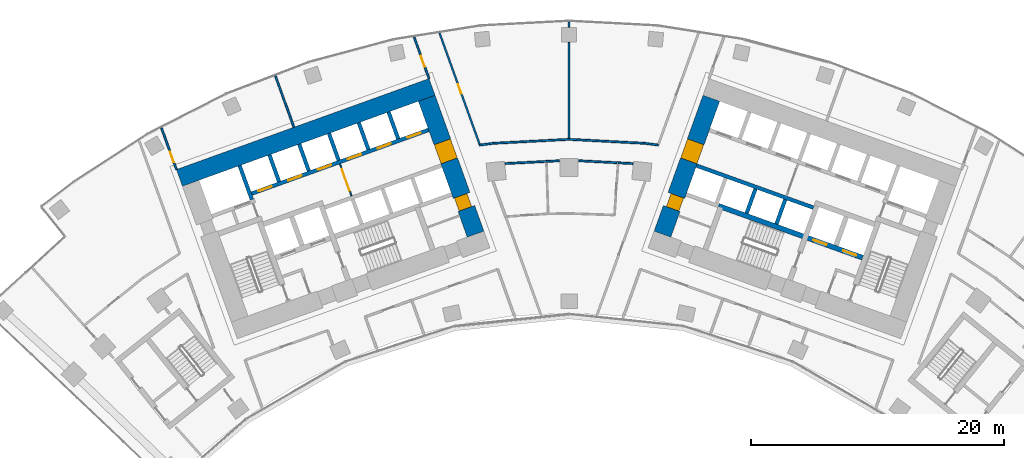
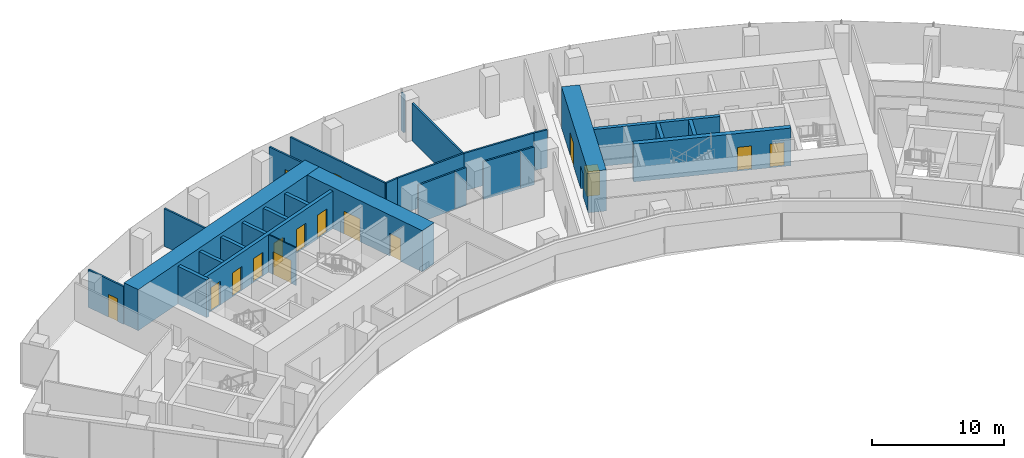
# One storey, part 14 of 19: 29 walls, 16 doors, 16 openings.
"""IFC4 building model written with IfcOpenShell, lengths in metres."""

from ifc_helpers import new_model, si_unit, direction, frame, frame_2d, origin, place, context, subcontext, project, spatial, rectangle, extrude, material, layer, layer_set, type_object, element, fill, save


model = new_model("IFC4")

# Units and contexts
model_context = context("Model", 3, precision=1e-05, world=origin(), true_north=direction((0.0, 1.0)))
body_context = subcontext(model_context, "Body", "Model", "MODEL_VIEW")
ifc_project = project(units=[si_unit("LENGTHUNIT", "METRE"), si_unit("AREAUNIT", "SQUARE_METRE"), si_unit("VOLUMEUNIT", "CUBIC_METRE"), si_unit("PLANEANGLEUNIT", "RADIAN"), si_unit("MASSUNIT", "GRAM", prefix="KILO")], contexts=[model_context])

# Site, building, storey
site_placement = place(None, origin())
site = spatial("IfcSite", under=ifc_project, at=site_placement, CompositionType="ELEMENT")
building_placement = place(site_placement, origin())
building = spatial("IfcBuilding", under=site, at=building_placement, Name="Stone Belt Terrace Tower", CompositionType="ELEMENT")
storey_placement = place(building_placement, frame((0.0, 0.0, 128.800048828125)))
storey = spatial("IfcBuildingStorey", under=building, at=storey_placement, Name="L31", CompositionType="ELEMENT", Elevation=128.800048828125)

# Wall, opening, door
ifc_material_1 = material(Name="Plasterboard partition")
ifc_layer_1 = layer(ifc_material_1, 0.10009765625)
ifc_layer_set_1 = layer_set([ifc_layer_1], Name="Core partition 100")
wall_type_1 = type_object("IfcWallType", Name="Core partition 100", PredefinedType="PARTITIONING", material=ifc_layer_set_1)
wall_1_placement = place(storey_placement, frame((-17.17724609375, 52.749755859375, 0.0), z_axis=(0.0, 0.0, 1.0), x_axis=(-0.338546555931, 0.940949642365, 0.0)))
wall_1 = element("IfcWall", 1, at=wall_1_placement, inside=storey, type_object=wall_type_1, Name="Core A wall", PredefinedType="PARTITIONING", context=body_context, shape_type="SweptSolid", body=[
    extrude(rectangle(XDim=2.699951171875, YDim=0.10009765625, at=frame_2d((1.35009765625, 0.0))), origin(), (0.0, 0.0, 1.0), 3.47998046875),
])
opening_1_placement = place(wall_1_placement, frame((0.449951171875, 0.0, 0.0)))
opening_1 = element("IfcOpeningElement", 2, at=opening_1_placement, cuts=wall_1, Name="Opening L31-C03", PredefinedType="OPENING", context=body_context, shape_type="SweptSolid", body=[
    extrude(rectangle(XDim=1.800048828125, YDim=2.10009765625, at=frame_2d((0.89990234375, 1.050048828125))), frame((0.0, 0.06005859375, 0.0), z_axis=(0.0, -1.0, 0.0), x_axis=(1.0, 0.0, 0.0)), (0.0, 0.0, 1.0), 0.1201171875),
])
ifc_material_2 = material(Name="Glazed aluminium door leaf", Category="aluminium")
door_type_1 = type_object("IfcDoorType", Name="Lift lobby entrance door 1800", OperationType="DOUBLE_DOOR_SINGLE_SWING", PredefinedType="DOOR", material=ifc_material_2)
door_1_placement = place(opening_1_placement, origin())
door_1 = element("IfcDoor", 3, at=door_1_placement, inside=storey, type_object=door_type_1, Name="Lift lobby double door core A", OperationType="DOUBLE_DOOR_SINGLE_SWING", OverallHeight=2.10009765625, OverallWidth=1.800048828125, PredefinedType="DOOR", context=body_context, shape_type="SweptSolid", body=[
    extrude(rectangle(XDim=1.800048828125, YDim=2.10009765625, at=frame_2d((0.89990234375, 1.050048828125))), frame((0.0, 0.02490234375, 0.0), z_axis=(0.0, -1.0, 0.0), x_axis=(1.0, 0.0, 0.0)), (0.0, 0.0, 1.0), 0.050048828125),
])
fill(opening_1, door_1)

# Wall
ifc_material_3 = material(Name="Concrete B80", Category="concrete")
ifc_layer_2 = layer(ifc_material_3, 1.39990234375)
ifc_layer_set_2 = layer_set([ifc_layer_2], Name="Core wall 1400 B80")
wall_type_2 = type_object("IfcWallType", Name="Core wall 1400 B80", PredefinedType="SHEAR", material=ifc_layer_set_2)
wall_2_placement = place(storey_placement, frame((-30.765380859375, 54.18310546875, 0.0), z_axis=(0.0, 0.0, 1.0), x_axis=(0.940919704758, 0.338629752382, 0.0)))
element("IfcWall", 4, at=wall_2_placement, inside=storey, type_object=wall_type_2, Name="Core A wall convex L31", PredefinedType="SHEAR", context=body_context, shape_type="SweptSolid", body=[
    extrude(rectangle(XDim=21.199951171875, YDim=1.39990234375, at=frame_2d((10.60009765625, 0.0))), origin(), (0.0, 0.0, 1.0), 3.800048828125),
])

# Wall, openings, doors
wall_3_placement = place(storey_placement, frame((-7.379150390625, 49.73974609375, 0.0), z_axis=(0.0, 0.0, 1.0), x_axis=(-0.338625431531, 0.940921259788, 0.0)))
wall_3 = element("IfcWall", 5, at=wall_3_placement, inside=storey, type_object=wall_type_2, Name="Core A wall end_b L31", PredefinedType="SHEAR", context=body_context, shape_type="SweptSolid", body=[
    extrude(rectangle(XDim=11.400146484375, YDim=1.39990234375, at=frame_2d((5.7001953125, 0.0))), origin(), (0.0, 0.0, 1.0), 3.800048828125),
])
opening_2_placement = place(wall_3_placement, frame((6.14990234375, 0.0, 0.0)))
opening_2 = element("IfcOpeningElement", 6, at=opening_2_placement, cuts=wall_3, Name="Opening L31-C04", PredefinedType="OPENING", context=body_context, shape_type="SweptSolid", body=[
    extrude(rectangle(XDim=1.60009765625, YDim=2.10009765625, at=frame_2d((0.800048828125, 1.050048828125))), frame((0.0, 0.7099609375, 0.0), z_axis=(0.0, -1.0, 0.0), x_axis=(1.0, 0.0, 0.0)), (0.0, 0.0, 1.0), 1.419921875),
])
opening_3_placement = place(wall_3_placement, frame((2.14990234375, 0.0, 0.0)))
opening_3 = element("IfcOpeningElement", 7, at=opening_3_placement, cuts=wall_3, Name="Opening L31-C10", PredefinedType="OPENING", context=body_context, shape_type="SweptSolid", body=[
    extrude(rectangle(XDim=1.10009765625, YDim=2.10009765625, at=frame_2d((0.550048828125, 1.050048828125))), frame((0.0, 0.7099609375, 0.0), z_axis=(0.0, -1.0, 0.0), x_axis=(1.0, 0.0, 0.0)), (0.0, 0.0, 1.0), 1.419921875),
])
ifc_material_4 = material(Name="Timber door leaf", Category="wood")
door_type_2 = type_object("IfcDoorType", Name="Core room door 1100", OperationType="SINGLE_SWING_LEFT", PredefinedType="DOOR", material=ifc_material_4)
door_2_placement = place(opening_3_placement, origin())
door_2 = element("IfcDoor", 8, at=door_2_placement, inside=storey, type_object=door_type_2, Name="Door to Accessible WC core A", OperationType="SINGLE_SWING_RIGHT", OverallHeight=2.10009765625, OverallWidth=1.10009765625, PredefinedType="DOOR", context=body_context, shape_type="SweptSolid", body=[
    extrude(rectangle(XDim=1.10009765625, YDim=2.10009765625, at=frame_2d((0.550048828125, 1.050048828125))), frame((0.0, 0.60498046875, 0.0), z_axis=(0.0, -1.0, 0.0), x_axis=(1.0, 0.0, 0.0)), (0.0, 0.0, 1.0), 1.050048828125),
])
fill(opening_3, door_2)
door_type_3 = type_object("IfcDoorType", Name="Lift lobby entrance door 1600", OperationType="DOUBLE_DOOR_SINGLE_SWING", PredefinedType="DOOR", material=ifc_material_2)
door_3_placement = place(opening_2_placement, origin())
door_3 = element("IfcDoor", 9, at=door_3_placement, inside=storey, type_object=door_type_3, Name="Lift lobby entrance door core A", OperationType="DOUBLE_DOOR_SINGLE_SWING", OverallHeight=2.10009765625, OverallWidth=1.60009765625, PredefinedType="DOOR", context=body_context, shape_type="SweptSolid", body=[
    extrude(rectangle(XDim=1.60009765625, YDim=2.10009765625, at=frame_2d((0.800048828125, 1.050048828125))), frame((0.0, 0.68017578125, 0.0), z_axis=(0.0, -1.0, 0.0), x_axis=(1.0, 0.0, 0.0)), (0.0, 0.0, 1.0), 1.360107421875),
])
fill(opening_2, door_3)

wall_4_placement = place(storey_placement, frame((7.379150390625, 49.73974609375, 0.0), z_axis=(0.0, 0.0, 1.0), x_axis=(0.338625431531, 0.940921259788, 0.0)))
wall_4 = element("IfcWall", 10, at=wall_4_placement, inside=storey, type_object=wall_type_2, Name="Core B wall end_a L31", PredefinedType="SHEAR", context=body_context, shape_type="SweptSolid", body=[
    extrude(rectangle(XDim=11.400146484375, YDim=1.39990234375, at=frame_2d((5.7001953125, 0.0))), origin(), (0.0, 0.0, 1.0), 3.800048828125),
])
opening_4_placement = place(wall_4_placement, frame((6.14990234375, 0.0, 0.0)))
opening_4 = element("IfcOpeningElement", 11, at=opening_4_placement, cuts=wall_4, Name="Opening L31-C15", PredefinedType="OPENING", context=body_context, shape_type="SweptSolid", body=[
    extrude(rectangle(XDim=1.60009765625, YDim=2.10009765625, at=frame_2d((0.800048828125, 1.050048828125))), frame((0.0, 0.7099609375, 0.0), z_axis=(0.0, -1.0, 0.0), x_axis=(1.0, 0.0, 0.0)), (0.0, 0.0, 1.0), 1.419921875),
])
opening_5_placement = place(wall_4_placement, frame((2.14990234375, 0.0, 0.0)))
opening_5 = element("IfcOpeningElement", 12, at=opening_5_placement, cuts=wall_4, Name="Opening L31-C21", PredefinedType="OPENING", context=body_context, shape_type="SweptSolid", body=[
    extrude(rectangle(XDim=1.10009765625, YDim=2.10009765625, at=frame_2d((0.550048828125, 1.050048828125))), frame((0.0, 0.7099609375, 0.0), z_axis=(0.0, -1.0, 0.0), x_axis=(1.0, 0.0, 0.0)), (0.0, 0.0, 1.0), 1.419921875),
])
door_4_placement = place(opening_5_placement, origin())
door_4 = element("IfcDoor", 13, at=door_4_placement, inside=storey, type_object=door_type_2, Name="Door to Accessible WC core B", OperationType="SINGLE_SWING_LEFT", OverallHeight=2.10009765625, OverallWidth=1.10009765625, PredefinedType="DOOR", context=body_context, shape_type="SweptSolid", body=[
    extrude(rectangle(XDim=1.10009765625, YDim=2.10009765625, at=frame_2d((0.550048828125, 1.050048828125))), frame((0.0, 0.44482421875, 0.0), z_axis=(0.0, -1.0, 0.0), x_axis=(1.0, 0.0, 0.0)), (0.0, 0.0, 1.0), 1.050048828125),
])
fill(opening_5, door_4)
door_5_placement = place(opening_4_placement, origin())
door_5 = element("IfcDoor", 14, at=door_5_placement, inside=storey, type_object=door_type_3, Name="Lift lobby entrance door core B", OperationType="DOUBLE_DOOR_SINGLE_SWING", OverallHeight=2.10009765625, OverallWidth=1.60009765625, PredefinedType="DOOR", context=body_context, shape_type="SweptSolid", body=[
    extrude(rectangle(XDim=1.60009765625, YDim=2.10009765625, at=frame_2d((0.800048828125, 1.050048828125))), frame((0.0, 0.68017578125, 0.0), z_axis=(0.0, -1.0, 0.0), x_axis=(1.0, 0.0, 0.0)), (0.0, 0.0, 1.0), 1.360107421875),
])
fill(opening_4, door_5)

# Wall
ifc_layer_3 = layer(ifc_material_3, 0.300048828125)
ifc_layer_set_3 = layer_set([ifc_layer_3], Name="Lift shaft wall 300")
wall_type_3 = type_object("IfcWallType", Name="Lift shaft wall 300", PredefinedType="SHEAR", material=ifc_layer_set_3)
wall_5_placement = place(storey_placement, frame((-25.046875, 52.46826171875, 0.0), z_axis=(0.0, 0.0, 1.0), x_axis=(-0.338549588058, 0.940948551423, 0.0)))
element("IfcWall", 15, at=wall_5_placement, inside=storey, type_object=wall_type_3, Name="Core A wall", PredefinedType="SHEAR", context=body_context, shape_type="SweptSolid", body=[
    extrude(rectangle(XDim=2.849853515625, YDim=0.300048828125, at=frame_2d((1.4248046875, 0.0))), origin(), (0.0, 0.0, 1.0), 3.47998046875),
])

# Wall, openings, doors
wall_6_placement = place(storey_placement, frame((-25.05810546875, 52.9423828125, 0.0), z_axis=(0.0, 0.0, 1.0), x_axis=(0.940918215764, 0.338633889685, 0.0)))
wall_6 = element("IfcWall", 16, at=wall_6_placement, inside=storey, type_object=wall_type_3, Name="Core A wall", PredefinedType="SHEAR", context=body_context, shape_type="SweptSolid", body=[
    extrude(rectangle(XDim=14.850341796875, YDim=0.300048828125, at=frame_2d((7.42529296875, 0.0))), origin(), (0.0, 0.0, 1.0), 3.47998046875),
])
opening_6_placement = place(wall_6_placement, frame((0.570068359375, 0.0, 0.0)))
opening_6 = element("IfcOpeningElement", 17, at=opening_6_placement, cuts=wall_6, Name="Opening L31-LD01", PredefinedType="OPENING", context=body_context, shape_type="SweptSolid", body=[
    extrude(rectangle(XDim=1.10009765625, YDim=2.199951171875, at=frame_2d((0.550048828125, 1.10009765625))), frame((0.0, 0.159912109375, 0.0), z_axis=(0.0, -1.0, 0.0), x_axis=(1.0, 0.0, 0.0)), (0.0, 0.0, 1.0), 0.320068359375),
])
opening_7_placement = place(wall_6_placement, frame((3.070068359375, 0.0, 0.0)))
opening_7 = element("IfcOpeningElement", 18, at=opening_7_placement, cuts=wall_6, Name="Opening L31-LD02", PredefinedType="OPENING", context=body_context, shape_type="SweptSolid", body=[
    extrude(rectangle(XDim=1.10009765625, YDim=2.199951171875, at=frame_2d((0.550048828125, 1.10009765625))), frame((0.0, 0.159912109375, 0.0), z_axis=(0.0, -1.0, 0.0), x_axis=(1.0, 0.0, 0.0)), (0.0, 0.0, 1.0), 0.320068359375),
])
opening_8_placement = place(wall_6_placement, frame((5.570068359375, 0.0, 0.0)))
opening_8 = element("IfcOpeningElement", 19, at=opening_8_placement, cuts=wall_6, Name="Opening L31-LD03", PredefinedType="OPENING", context=body_context, shape_type="SweptSolid", body=[
    extrude(rectangle(XDim=1.10009765625, YDim=2.199951171875, at=frame_2d((0.550048828125, 1.10009765625))), frame((0.0, 0.159912109375, 0.0), z_axis=(0.0, -1.0, 0.0), x_axis=(1.0, 0.0, 0.0)), (0.0, 0.0, 1.0), 0.320068359375),
])
opening_9_placement = place(wall_6_placement, frame((8.070068359375, 0.0, 0.0)))
opening_9 = element("IfcOpeningElement", 20, at=opening_9_placement, cuts=wall_6, Name="Opening L31-LD04", PredefinedType="OPENING", context=body_context, shape_type="SweptSolid", body=[
    extrude(rectangle(XDim=1.10009765625, YDim=2.199951171875, at=frame_2d((0.550048828125, 1.10009765625))), frame((0.0, 0.159912109375, 0.0), z_axis=(0.0, -1.0, 0.0), x_axis=(1.0, 0.0, 0.0)), (0.0, 0.0, 1.0), 0.320068359375),
])
opening_10_placement = place(wall_6_placement, frame((10.570068359375, 0.0, 0.0)))
opening_10 = element("IfcOpeningElement", 21, at=opening_10_placement, cuts=wall_6, Name="Opening L31-LD05", PredefinedType="OPENING", context=body_context, shape_type="SweptSolid", body=[
    extrude(rectangle(XDim=1.10009765625, YDim=2.199951171875, at=frame_2d((0.550048828125, 1.10009765625))), frame((0.0, 0.159912109375, 0.0), z_axis=(0.0, -1.0, 0.0), x_axis=(1.0, 0.0, 0.0)), (0.0, 0.0, 1.0), 0.320068359375),
])
opening_11_placement = place(wall_6_placement, frame((13.070068359375, 0.0, 0.0)))
opening_11 = element("IfcOpeningElement", 22, at=opening_11_placement, cuts=wall_6, Name="Opening L31-LD06", PredefinedType="OPENING", context=body_context, shape_type="SweptSolid", body=[
    extrude(rectangle(XDim=1.10009765625, YDim=2.199951171875, at=frame_2d((0.550048828125, 1.10009765625))), frame((0.0, 0.159912109375, 0.0), z_axis=(0.0, -1.0, 0.0), x_axis=(1.0, 0.0, 0.0)), (0.0, 0.0, 1.0), 0.320068359375),
])
ifc_material_5 = material(Name="Stainless steel door leaf", Category="steel")
door_type_4 = type_object("IfcDoorType", Name="Landing door 1100", OperationType="SLIDING_TO_LEFT", PredefinedType="DOOR", material=ifc_material_5)
door_6_placement = place(opening_6_placement, origin())
door_6 = element("IfcDoor", 23, at=door_6_placement, inside=storey, type_object=door_type_4, Name="Landing door LR1 core A", OperationType="SLIDING_TO_LEFT", OverallHeight=2.199951171875, OverallWidth=1.10009765625, PredefinedType="DOOR", context=body_context, shape_type="SweptSolid", body=[
    extrude(rectangle(XDim=1.10009765625, YDim=2.199951171875, at=frame_2d((0.550048828125, 1.10009765625))), frame((0.0, 0.02490234375, 0.0), z_axis=(0.0, -1.0, 0.0), x_axis=(1.0, 0.0, 0.0)), (0.0, 0.0, 1.0), 0.050048828125),
])
fill(opening_6, door_6)
door_7_placement = place(opening_7_placement, origin())
door_7 = element("IfcDoor", 24, at=door_7_placement, inside=storey, type_object=door_type_4, Name="Landing door LR2 core A", OperationType="SLIDING_TO_LEFT", OverallHeight=2.199951171875, OverallWidth=1.10009765625, PredefinedType="DOOR", context=body_context, shape_type="SweptSolid", body=[
    extrude(rectangle(XDim=1.10009765625, YDim=2.199951171875, at=frame_2d((0.550048828125, 1.10009765625))), frame((0.0, 0.02490234375, 0.0), z_axis=(0.0, -1.0, 0.0), x_axis=(1.0, 0.0, 0.0)), (0.0, 0.0, 1.0), 0.050048828125),
])
fill(opening_7, door_7)
door_8_placement = place(opening_8_placement, origin())
door_8 = element("IfcDoor", 25, at=door_8_placement, inside=storey, type_object=door_type_4, Name="Landing door LR3 core A", OperationType="SLIDING_TO_LEFT", OverallHeight=2.199951171875, OverallWidth=1.10009765625, PredefinedType="DOOR", context=body_context, shape_type="SweptSolid", body=[
    extrude(rectangle(XDim=1.10009765625, YDim=2.199951171875, at=frame_2d((0.550048828125, 1.10009765625))), frame((0.0, 0.02490234375, 0.0), z_axis=(0.0, -1.0, 0.0), x_axis=(1.0, 0.0, 0.0)), (0.0, 0.0, 1.0), 0.050048828125),
])
fill(opening_8, door_8)
door_9_placement = place(opening_9_placement, origin())
door_9 = element("IfcDoor", 26, at=door_9_placement, inside=storey, type_object=door_type_4, Name="Landing door LR4 core A", OperationType="SLIDING_TO_LEFT", OverallHeight=2.199951171875, OverallWidth=1.10009765625, PredefinedType="DOOR", context=body_context, shape_type="SweptSolid", body=[
    extrude(rectangle(XDim=1.10009765625, YDim=2.199951171875, at=frame_2d((0.550048828125, 1.10009765625))), frame((0.0, 0.02490234375, 0.0), z_axis=(0.0, -1.0, 0.0), x_axis=(1.0, 0.0, 0.0)), (0.0, 0.0, 1.0), 0.050048828125),
])
fill(opening_9, door_9)
door_10_placement = place(opening_10_placement, origin())
door_10 = element("IfcDoor", 27, at=door_10_placement, inside=storey, type_object=door_type_4, Name="Landing door LR5 core A", OperationType="SLIDING_TO_LEFT", OverallHeight=2.199951171875, OverallWidth=1.10009765625, PredefinedType="DOOR", context=body_context, shape_type="SweptSolid", body=[
    extrude(rectangle(XDim=1.10009765625, YDim=2.199951171875, at=frame_2d((0.550048828125, 1.10009765625))), frame((0.0, 0.02490234375, 0.0), z_axis=(0.0, -1.0, 0.0), x_axis=(1.0, 0.0, 0.0)), (0.0, 0.0, 1.0), 0.050048828125),
])
fill(opening_10, door_10)
door_11_placement = place(opening_11_placement, origin())
door_11 = element("IfcDoor", 28, at=door_11_placement, inside=storey, type_object=door_type_4, Name="Landing door LR6 core A", OperationType="SLIDING_TO_LEFT", OverallHeight=2.199951171875, OverallWidth=1.10009765625, PredefinedType="DOOR", context=body_context, shape_type="SweptSolid", body=[
    extrude(rectangle(XDim=1.10009765625, YDim=2.199951171875, at=frame_2d((0.550048828125, 1.10009765625))), frame((0.0, 0.02490234375, 0.0), z_axis=(0.0, -1.0, 0.0), x_axis=(1.0, 0.0, 0.0)), (0.0, 0.0, 1.0), 0.050048828125),
])
fill(opening_11, door_11)

# Walls
wall_7_placement = place(storey_placement, frame((-22.897705078125, 53.87939453125, 0.0), z_axis=(0.0, 0.0, 1.0), x_axis=(-0.338535034312, 0.940953787677, 0.0)))
element("IfcWall", 29, at=wall_7_placement, inside=storey, type_object=wall_type_3, Name="Core A wall", PredefinedType="SHEAR", context=body_context, shape_type="SweptSolid", body=[
    extrude(rectangle(XDim=2.25, YDim=0.300048828125, at=frame_2d((1.125, 0.0))), origin(), (0.0, 0.0, 1.0), 3.47998046875),
])
wall_8_placement = place(storey_placement, frame((-20.54541015625, 54.72607421875, 0.0), z_axis=(0.0, 0.0, 1.0), x_axis=(-0.338569601369, 0.940941350472, 0.0)))
element("IfcWall", 30, at=wall_8_placement, inside=storey, type_object=wall_type_3, Name="Core A wall", PredefinedType="SHEAR", context=body_context, shape_type="SweptSolid", body=[
    extrude(rectangle(XDim=2.249755859375, YDim=0.300048828125, at=frame_2d((1.125, 0.0))), origin(), (0.0, 0.0, 1.0), 3.47998046875),
])
wall_9_placement = place(storey_placement, frame((-18.193115234375, 55.572509765625, 0.0), z_axis=(0.0, 0.0, 1.0), x_axis=(-0.338535034312, 0.940953787677, 0.0)))
element("IfcWall", 31, at=wall_9_placement, inside=storey, type_object=wall_type_3, Name="Core A wall", PredefinedType="SHEAR", context=body_context, shape_type="SweptSolid", body=[
    extrude(rectangle(XDim=2.25, YDim=0.300048828125, at=frame_2d((1.125, 0.0))), origin(), (0.0, 0.0, 1.0), 3.47998046875),
])
wall_10_placement = place(storey_placement, frame((-15.8408203125, 56.419189453125, 0.0), z_axis=(0.0, 0.0, 1.0), x_axis=(-0.338569601369, 0.940941350472, 0.0)))
element("IfcWall", 32, at=wall_10_placement, inside=storey, type_object=wall_type_3, Name="Core A wall", PredefinedType="SHEAR", context=body_context, shape_type="SweptSolid", body=[
    extrude(rectangle(XDim=2.249755859375, YDim=0.300048828125, at=frame_2d((1.125, 0.0))), origin(), (0.0, 0.0, 1.0), 3.47998046875),
])
wall_11_placement = place(storey_placement, frame((-13.48828125, 57.265625, 0.0), z_axis=(0.0, 0.0, 1.0), x_axis=(-0.338631098537, 0.940919220286, 0.0)))
element("IfcWall", 33, at=wall_11_placement, inside=storey, type_object=wall_type_3, Name="Core A wall", PredefinedType="SHEAR", context=body_context, shape_type="SweptSolid", body=[
    extrude(rectangle(XDim=2.250244140625, YDim=0.300048828125, at=frame_2d((1.125, 0.0))), origin(), (0.0, 0.0, 1.0), 3.47998046875),
])
wall_12_placement = place(storey_placement, frame((19.29052734375, 51.829833984375, 0.0), z_axis=(0.0, 0.0, 1.0), x_axis=(-0.940925833398, 0.338612722803, 0.0)))
element("IfcWall", 34, at=wall_12_placement, inside=storey, type_object=wall_type_3, Name="Core B wall", PredefinedType="SHEAR", context=body_context, shape_type="SweptSolid", body=[
    extrude(rectangle(XDim=9.7998046875, YDim=0.300048828125, at=frame_2d((4.89990234375, 0.0))), origin(), (0.0, 0.0, 1.0), 3.47998046875),
])
for number, where, z_axis, x_axis, name in (
    (35, (16.38134765625, 50.53857421875, 0.0), (0.0, 0.0, 1.0), (0.338681515556, 0.940901073982, 0.0), "Core B wall"),
    (36, (14.029052734375, 51.38525390625, 0.0), (0.0, 0.0, 1.0), (0.338681515556, 0.940901073982, 0.0), "Core B wall"),
):
    element("IfcWall", number, at=place(storey_placement, frame(where, z_axis=z_axis, x_axis=x_axis)), inside=storey, type_object=wall_type_3, Name=name, PredefinedType="SHEAR", context=body_context, shape_type="SweptSolid", body=[
        extrude(rectangle(XDim=2.050048828125, YDim=0.300048828125, at=frame_2d((1.02490234375, 0.0))), origin(), (0.0, 0.0, 1.0), 3.47998046875),
    ])

# Wall, opening, door
ifc_material_6 = material(Name="Gypsum board partition")
ifc_layer_4 = layer(ifc_material_6, 0.14990234375)
ifc_layer_set_4 = layer_set([ifc_layer_4], Name="PARTITION 150 EI 60")
wall_type_4 = type_object("IfcWallType", Name="PARTITION 150 EI 60", PredefinedType="PARTITIONING", material=ifc_layer_set_4)
wall_13_placement = place(storey_placement, frame((-32.185791015625, 58.131103515625, 0.0), z_axis=(0.0, 0.0, 1.0), x_axis=(0.338662585219, -0.940907887826, 0.0)))
wall_13 = element("IfcWall", 37, at=wall_13_placement, inside=storey, type_object=wall_type_4, Name="L31/wall/i002", PredefinedType="PARTITIONING", context=body_context, shape_type="SweptSolid", body=[
    extrude(rectangle(XDim=3.49560546875, YDim=0.14990234375, at=frame_2d((1.747802734375, 0.0))), origin(), (0.0, 0.0, 1.0), 3.47998046875),
])
opening_12_placement = place(wall_13_placement, frame((1.996337890625, 0.0, 0.0)))
opening_12 = element("IfcOpeningElement", 38, at=opening_12_placement, cuts=wall_13, Name="Opening D-B5-04", PredefinedType="OPENING", context=body_context, shape_type="SweptSolid", body=[
    extrude(rectangle(XDim=0.89990234375, YDim=2.10009765625, at=frame_2d((0.449951171875, 1.050048828125))), frame((0.0, 0.0849609375, 0.0), z_axis=(0.0, -1.0, 0.0), x_axis=(1.0, 0.0, 0.0)), (0.0, 0.0, 1.0), 0.169921875),
])
door_type_5 = type_object("IfcDoorType", Name="OFFICE DOOR 900 X 2100", OperationType="NOTDEFINED", PredefinedType="DOOR", material=ifc_material_4)
door_12_placement = place(opening_12_placement, origin())
door_12 = element("IfcDoor", 39, at=door_12_placement, inside=storey, type_object=door_type_5, Name="L31/door/i04", OperationType="SINGLE_SWING_RIGHT", OverallHeight=2.10009765625, OverallWidth=0.89990234375, PredefinedType="DOOR", context=body_context, shape_type="SweptSolid", body=[
    extrude(rectangle(XDim=0.89990234375, YDim=2.10009765625, at=frame_2d((0.449951171875, 1.050048828125))), frame((0.0, 0.02490234375, 0.0), z_axis=(0.0, -1.0, 0.0), x_axis=(1.0, 0.0, 0.0)), (0.0, 0.0, 1.0), 0.050048828125),
])
fill(opening_12, door_12)

wall_14_placement = place(storey_placement, frame((-11.054931640625, 62.02099609375, 0.0), z_axis=(0.0, 0.0, 1.0), x_axis=(-0.338853532575, 0.94083913793, 0.0)))
wall_14 = element("IfcWall", 40, at=wall_14_placement, inside=storey, type_object=wall_type_4, Name="L31/wall/i007", PredefinedType="PARTITIONING", context=body_context, shape_type="SweptSolid", body=[
    extrude(rectangle(XDim=3.482177734375, YDim=0.14990234375, at=frame_2d((1.7412109375, 0.0))), origin(), (0.0, 0.0, 1.0), 3.47998046875),
])
opening_13_placement = place(wall_14_placement, frame((0.99365234375, 0.0, 0.0)))
opening_13 = element("IfcOpeningElement", 41, at=opening_13_placement, cuts=wall_14, Name="Opening D-B5-05", PredefinedType="OPENING", context=body_context, shape_type="SweptSolid", body=[
    extrude(rectangle(XDim=0.89990234375, YDim=2.10009765625, at=frame_2d((0.449951171875, 1.050048828125))), frame((0.0, 0.0849609375, 0.0), z_axis=(0.0, -1.0, 0.0), x_axis=(1.0, 0.0, 0.0)), (0.0, 0.0, 1.0), 0.169921875),
])
door_13_placement = place(opening_13_placement, origin())
door_13 = element("IfcDoor", 42, at=door_13_placement, inside=storey, type_object=door_type_5, Name="L31/door/i05", OperationType="SINGLE_SWING_LEFT", OverallHeight=2.10009765625, OverallWidth=0.89990234375, PredefinedType="DOOR", context=body_context, shape_type="SweptSolid", body=[
    extrude(rectangle(XDim=0.89990234375, YDim=2.10009765625, at=frame_2d((0.449951171875, 1.050048828125))), frame((0.0, 0.02490234375, 0.0), z_axis=(0.0, -1.0, 0.0), x_axis=(1.0, 0.0, 0.0)), (0.0, 0.0, 1.0), 0.050048828125),
])
fill(opening_13, door_13)

wall_15_placement = place(storey_placement, frame((-10.223876953125, 65.6162109375, 0.0), z_axis=(0.0, 0.0, 1.0), x_axis=(0.338637655092, -0.940916860596, 0.0)))
wall_15 = element("IfcWall", 43, at=wall_15_placement, inside=storey, type_object=wall_type_4, Name="L31/wall/i010", PredefinedType="PARTITIONING", context=body_context, shape_type="SweptSolid", body=[
    extrude(rectangle(XDim=9.40478515625, YDim=0.14990234375, at=frame_2d((4.702392578125, 0.0))), origin(), (0.0, 0.0, 1.0), 3.47998046875),
])
opening_14_placement = place(wall_15_placement, frame((4.302490234375, 0.0, 0.0)))
opening_14 = element("IfcOpeningElement", 44, at=opening_14_placement, cuts=wall_15, Name="Opening D-B5-29", PredefinedType="OPENING", context=body_context, shape_type="SweptSolid", body=[
    extrude(rectangle(XDim=0.800048828125, YDim=2.10009765625, at=frame_2d((0.39990234375, 1.050048828125))), frame((0.0, 0.0849609375, 0.0), z_axis=(0.0, -1.0, 0.0), x_axis=(1.0, 0.0, 0.0)), (0.0, 0.0, 1.0), 0.169921875),
])
door_type_6 = type_object("IfcDoorType", Name="STORE DOOR 800 X 2100", OperationType="NOTDEFINED", PredefinedType="DOOR", material=ifc_material_4)
door_14_placement = place(opening_14_placement, origin())
door_14 = element("IfcDoor", 45, at=door_14_placement, inside=storey, type_object=door_type_6, Name="L31/door/i29", OperationType="SINGLE_SWING_RIGHT", OverallHeight=2.10009765625, OverallWidth=0.800048828125, PredefinedType="DOOR", context=body_context, shape_type="SweptSolid", body=[
    extrude(rectangle(XDim=0.800048828125, YDim=2.10009765625, at=frame_2d((0.39990234375, 1.050048828125))), frame((0.0, 0.02490234375, 0.0), z_axis=(0.0, -1.0, 0.0), x_axis=(1.0, 0.0, 0.0)), (0.0, 0.0, 1.0), 0.050048828125),
])
fill(opening_14, door_14)

# Walls
wall_16_placement = place(storey_placement, frame((-23.183837890625, 62.234130859375, 0.0), z_axis=(0.0, 0.0, 1.0), x_axis=(0.338633169917, -0.940918474806, 0.0)))
element("IfcWall", 46, at=wall_16_placement, inside=storey, type_object=wall_type_4, Name="L31/wall/i017", PredefinedType="PARTITIONING", context=body_context, shape_type="SweptSolid", body=[
    extrude(rectangle(XDim=4.3076171875, YDim=0.14990234375, at=frame_2d((2.15380859375, 0.0))), origin(), (0.0, 0.0, 1.0), 3.47998046875),
])
wall_17_placement = place(storey_placement, frame((5.05419921875, 55.310302734375, 0.0), z_axis=(0.0, 0.0, 1.0), x_axis=(-0.998637698263, 0.052179954081, 0.0)))
element("IfcWall", 47, at=wall_17_placement, inside=storey, type_object=wall_type_4, Name="L31/wall/i077", PredefinedType="PARTITIONING", context=body_context, shape_type="SweptSolid", body=[
    extrude(rectangle(XDim=1.183837890625, YDim=0.14990234375, at=frame_2d((0.591796875, 0.0))), origin(), (0.0, 0.0, 1.0), 3.47998046875),
])
wall_18_placement = place(storey_placement, frame((-1.777099609375, 55.48193359375, 0.0), z_axis=(0.0, 0.0, 1.0), x_axis=(-0.998635243158, -0.052226919519, 0.0)))
element("IfcWall", 48, at=wall_18_placement, inside=storey, type_object=wall_type_4, Name="L31/wall/i078", PredefinedType="PARTITIONING", context=body_context, shape_type="SweptSolid", body=[
    extrude(rectangle(XDim=3.281494140625, YDim=0.14990234375, at=frame_2d((1.640625, 0.0))), origin(), (0.0, 0.0, 1.0), 3.47998046875),
])
wall_19_placement = place(storey_placement, frame((3.884033203125, 55.3720703125, 0.0), z_axis=(0.0, 0.0, 1.0), x_axis=(-0.998636491381, 0.052203046674, 0.0)))
element("IfcWall", 49, at=wall_19_placement, inside=storey, type_object=wall_type_4, Name="L31/wall/i079", PredefinedType="PARTITIONING", context=body_context, shape_type="SweptSolid", body=[
    extrude(rectangle(XDim=3.13330078125, YDim=0.14990234375, at=frame_2d((1.566650390625, 0.0))), origin(), (0.0, 0.0, 1.0), 3.47998046875),
])
wall_20_placement = place(storey_placement, frame((-0.7548828125, 55.535400390625, 0.0), z_axis=(0.0, 0.0, 1.0), x_axis=(-0.998617178026, -0.052571206492, 0.0)))
element("IfcWall", 50, at=wall_20_placement, inside=storey, type_object=wall_type_4, Name="L31/wall/i080", PredefinedType="PARTITIONING", context=body_context, shape_type="SweptSolid", body=[
    extrude(rectangle(XDim=1.03564453125, YDim=0.14990234375, at=frame_2d((0.517822265625, 0.0))), origin(), (0.0, 0.0, 1.0), 3.47998046875),
])
wall_21_placement = place(storey_placement, frame((-7.041015625, 56.77294921875, 0.0), z_axis=(0.0, 0.0, 1.0), x_axis=(0.991477617634, 0.130277142013, 0.0)))
element("IfcWall", 51, at=wall_21_placement, inside=storey, type_object=wall_type_4, Name="L31/wall/i081", PredefinedType="PARTITIONING", context=body_context, shape_type="SweptSolid", body=[
    extrude(rectangle(XDim=1.068115234375, YDim=0.14990234375, at=frame_2d((0.5341796875, 0.0))), origin(), (0.0, 0.0, 1.0), 3.47998046875),
])
for number, where, z_axis, x_axis, name in (
    (52, (-5.98193359375, 56.912109375, 0.0), (0.0, 0.0, 1.0), (0.998633994648, 0.052250786921, 0.0), "L31/wall/i082"),
    (53, (0.0, 57.22509765625, 0.0), (0.0, 0.0, 1.0), (0.998633994648, -0.052250786921, 0.0), "L31/wall/i083"),
):
    element("IfcWall", number, at=place(storey_placement, frame(where, z_axis=z_axis, x_axis=x_axis)), inside=storey, type_object=wall_type_4, Name=name, PredefinedType="PARTITIONING", context=body_context, shape_type="SweptSolid", body=[
        extrude(rectangle(XDim=5.990234375, YDim=0.14990234375, at=frame_2d((2.9951171875, 0.0))), origin(), (0.0, 0.0, 1.0), 3.47998046875),
    ])
wall_22_placement = place(storey_placement, frame((5.98193359375, 56.912109375, 0.0), z_axis=(0.0, 0.0, 1.0), x_axis=(0.991477617634, -0.130277142013, 0.0)))
element("IfcWall", 54, at=wall_22_placement, inside=storey, type_object=wall_type_4, Name="L31/wall/i084", PredefinedType="PARTITIONING", context=body_context, shape_type="SweptSolid", body=[
    extrude(rectangle(XDim=1.068115234375, YDim=0.14990234375, at=frame_2d((0.5341796875, 0.0))), origin(), (0.0, 0.0, 1.0), 3.47998046875),
])
wall_23_placement = place(storey_placement, frame((0.0, 66.5, 0.0), z_axis=(0.0, 0.0, 1.0), x_axis=(0.0, -1.0, 0.0)))
element("IfcWall", 55, at=wall_23_placement, inside=storey, type_object=wall_type_4, Name="L31/wall/i090", PredefinedType="PARTITIONING", context=body_context, shape_type="SweptSolid", body=[
    extrude(rectangle(XDim=0.406005859375, YDim=0.14990234375, at=frame_2d((0.203125, 0.0))), origin(), (0.0, 0.0, 1.0), 3.47998046875),
])
wall_24_placement = place(storey_placement, frame((0.0, 64.8837890625, 0.0), z_axis=(0.0, 0.0, 1.0), x_axis=(0.0, -1.0, 0.0)))
element("IfcWall", 56, at=wall_24_placement, inside=storey, type_object=wall_type_4, Name="L31/wall/i091", PredefinedType="PARTITIONING", context=body_context, shape_type="SweptSolid", body=[
    extrude(rectangle(XDim=7.65869140625, YDim=0.14990234375, at=frame_2d((3.829345703125, 0.0))), origin(), (0.0, 0.0, 1.0), 3.47998046875),
])

# Wall, openings, doors
ifc_layer_5 = layer(ifc_material_3, 0.39990234375)
ifc_layer_set_5 = layer_set([ifc_layer_5], Name="Stair enclosure wall 400")
wall_type_5 = type_object("IfcWallType", Name="Stair enclosure wall 400", PredefinedType="SHEAR", material=ifc_layer_set_5)
wall_25_placement = place(storey_placement, frame((23.182373046875, 47.87841796875, 0.0), z_axis=(0.0, 0.0, 1.0), x_axis=(-0.940921101762, 0.338625870628, 0.0)))
wall_25 = element("IfcWall", 57, at=wall_25_placement, inside=storey, type_object=wall_type_5, Name="Core B wall", PredefinedType="SHEAR", context=body_context, shape_type="SweptSolid", body=[
    extrude(rectangle(XDim=12.10009765625, YDim=0.39990234375, at=frame_2d((6.050048828125, 0.0))), origin(), (0.0, 0.0, 1.0), 3.47998046875),
])
opening_15_placement = place(wall_25_placement, frame((0.52001953125, 0.0, 0.0)))
opening_15 = element("IfcOpeningElement", 58, at=opening_15_placement, cuts=wall_25, Name="Opening L31-LD16", PredefinedType="OPENING", context=body_context, shape_type="SweptSolid", body=[
    extrude(rectangle(XDim=1.10009765625, YDim=2.199951171875, at=frame_2d((0.550048828125, 1.10009765625))), frame((0.0, 0.2099609375, 0.0), z_axis=(0.0, -1.0, 0.0), x_axis=(1.0, 0.0, 0.0)), (0.0, 0.0, 1.0), 0.419921875),
])
opening_16_placement = place(wall_25_placement, frame((3.02001953125, 0.0, 0.0)))
opening_16 = element("IfcOpeningElement", 59, at=opening_16_placement, cuts=wall_25, Name="Opening L31-LD17", PredefinedType="OPENING", context=body_context, shape_type="SweptSolid", body=[
    extrude(rectangle(XDim=1.10009765625, YDim=2.199951171875, at=frame_2d((0.550048828125, 1.10009765625))), frame((0.0, 0.2099609375, 0.0), z_axis=(0.0, -1.0, 0.0), x_axis=(1.0, 0.0, 0.0)), (0.0, 0.0, 1.0), 0.419921875),
])
door_15_placement = place(opening_15_placement, origin())
door_15 = element("IfcDoor", 60, at=door_15_placement, inside=storey, type_object=door_type_4, Name="Landing door FF1 core B", OperationType="SLIDING_TO_LEFT", OverallHeight=2.199951171875, OverallWidth=1.10009765625, PredefinedType="DOOR", context=body_context, shape_type="SweptSolid", body=[
    extrude(rectangle(XDim=1.10009765625, YDim=2.199951171875, at=frame_2d((0.550048828125, 1.10009765625))), frame((0.0, 0.02490234375, 0.0), z_axis=(0.0, -1.0, 0.0), x_axis=(1.0, 0.0, 0.0)), (0.0, 0.0, 1.0), 0.050048828125),
])
fill(opening_15, door_15)
door_16_placement = place(opening_16_placement, origin())
door_16 = element("IfcDoor", 61, at=door_16_placement, inside=storey, type_object=door_type_4, Name="Landing door FF2 core B", OperationType="SLIDING_TO_LEFT", OverallHeight=2.199951171875, OverallWidth=1.10009765625, PredefinedType="DOOR", context=body_context, shape_type="SweptSolid", body=[
    extrude(rectangle(XDim=1.10009765625, YDim=2.199951171875, at=frame_2d((0.550048828125, 1.10009765625))), frame((0.0, 0.02490234375, 0.0), z_axis=(0.0, -1.0, 0.0), x_axis=(1.0, 0.0, 0.0)), (0.0, 0.0, 1.0), 0.050048828125),
])
fill(opening_16, door_16)

save(model, "model.ifc")
